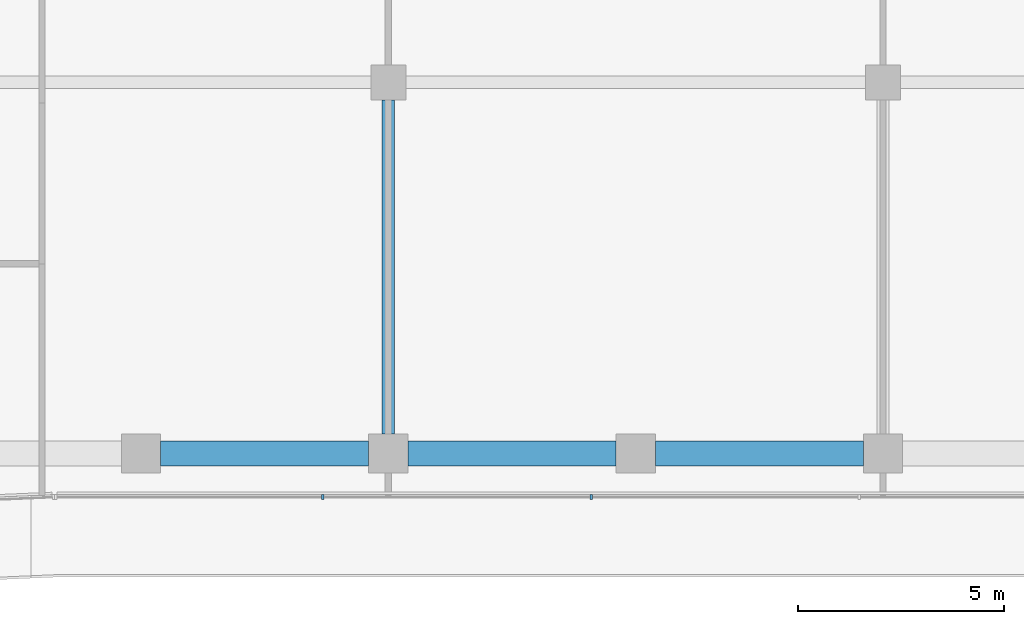
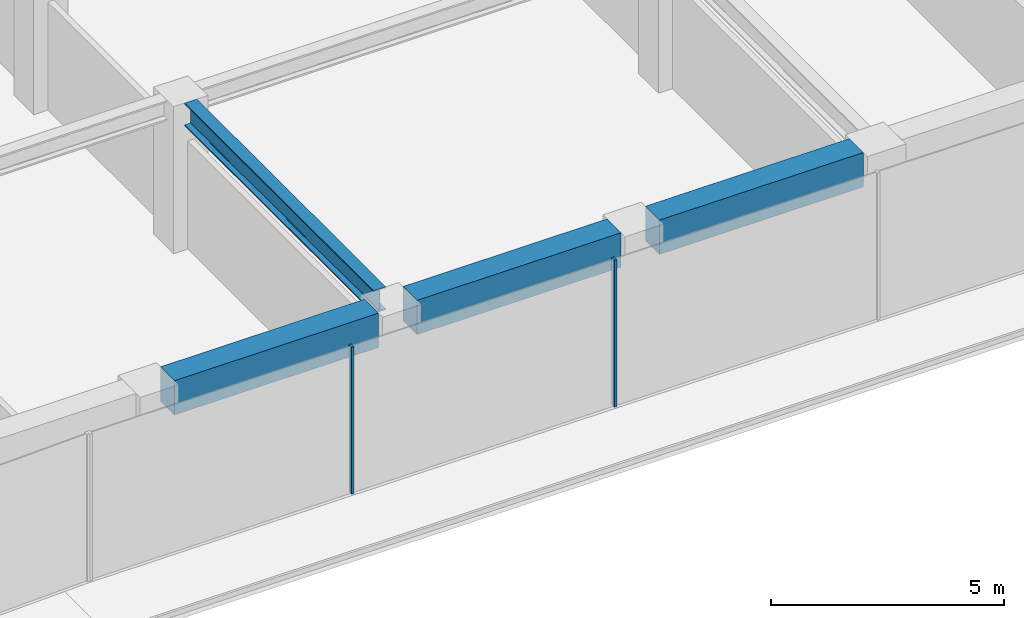
# One storey, part 8 of 29: 4 beams, 2 members, 1 element without a shape of its own.
"""IFC4 building model written with IfcOpenShell, lengths in metres."""

import ifcopenshell
import ifcopenshell.guid

model = None  # the IFC model being written
_history = None  # IfcOwnerHistory: only IFC2X3 demands one
_inside = {}  # id of a spatial element -> (the spatial element, [elements in it])
_under = {}  # id of a project, library or spatial element -> (it, [spatial elements below it])
_declared = {}  # id of a project -> (the project, [libraries it declares])
_typed = {}  # id of a type object -> (the type object, [elements of that type])
_made_of = {}  # id of a material, layer set ... -> (it, [elements and type objects made of it])


def new_model(schema):
    """Start an empty IFC model of exactly this schema.

    Asked for "IFC4X3", IfcOpenShell would pick the latest addendum, in which some entities
    have other attributes; the version numbers below select the first issue.
    IFC2X3 requires an IfcOwnerHistory on every rooted entity: one is made here for all.
    """
    global model, _history
    if schema == "IFC4X3":
        model = ifcopenshell.file(schema_version=(4, 3, 0, 0))
    else:
        model = ifcopenshell.file(schema=schema)
    _inside.clear()
    _under.clear()
    _declared.clear()
    _typed.clear()
    _made_of.clear()
    _history = None
    if model.schema == "IFC2X3":
        org = make("IfcOrganization", Name="unknown")
        user = make(
            "IfcPersonAndOrganization",
            ThePerson=make("IfcPerson", FamilyName="unknown"),
            TheOrganization=org,
        )
        app = make(
            "IfcApplication",
            ApplicationDeveloper=org,
            Version="unknown",
            ApplicationFullName="unknown",
            ApplicationIdentifier="unknown",
        )
        _history = make(
            "IfcOwnerHistory",
            OwningUser=user,
            OwningApplication=app,
            ChangeAction="ADDED",
            CreationDate=0,
        )
    return model


def make(cls, **values):
    """One entity of the class cls with the attributes given. An attribute that is None is left unset."""
    return model.create_entity(
        cls, **{name: value for name, value in values.items() if value is not None}
    )


def rooted(cls, **values):
    """An entity with a GlobalId (a new one), such as an element, a storey or a relation."""
    return make(cls, GlobalId=ifcopenshell.guid.new(), OwnerHistory=_history, **values)


def si_unit(unit_type, name, prefix=None):
    """IfcSIUnit, for example si_unit("LENGTHUNIT", "METRE", prefix="MILLI")."""
    return make("IfcSIUnit", UnitType=unit_type, Prefix=prefix, Name=name)


def assignment(units):
    """IfcUnitAssignment: the units of a project."""
    return None if units is None else make("IfcUnitAssignment", Units=units)


def point(xyz):
    """IfcCartesianPoint."""
    return None if xyz is None else make("IfcCartesianPoint", Coordinates=xyz)


def direction(xyz):
    """IfcDirection."""
    return None if xyz is None else make("IfcDirection", DirectionRatios=xyz)


def frame(location, z_axis=None, x_axis=None):
    """IfcAxis2Placement3D, a coordinate frame: its origin and axes. An axis left out is left unset."""
    return make(
        "IfcAxis2Placement3D",
        Location=point(location),
        Axis=direction(z_axis),
        RefDirection=direction(x_axis),
    )


def frame_2d(location, x_axis=None):
    """IfcAxis2Placement2D, a coordinate frame in the plane: its origin and x axis."""
    return make(
        "IfcAxis2Placement2D", Location=point(location), RefDirection=direction(x_axis)
    )


def origin():
    """The frame at (0, 0, 0) with its axes left unset."""
    return frame((0.0, 0.0, 0.0))


def origin_2d():
    """The frame at (0, 0) in the plane with its x axis left unset."""
    return frame_2d((0.0, 0.0))


def place(relative_to, where):
    """IfcLocalPlacement: puts the frame where relative to a parent placement (None: the world)."""
    return make(
        "IfcLocalPlacement", PlacementRelTo=relative_to, RelativePlacement=where
    )


def context(
    kind, dimensions, precision=None, world=None, true_north=None, identifier=None
):
    """IfcGeometricRepresentationContext, for example the 3D "Model" context."""
    return make(
        "IfcGeometricRepresentationContext",
        ContextIdentifier=identifier,
        ContextType=kind,
        CoordinateSpaceDimension=dimensions,
        Precision=precision,
        WorldCoordinateSystem=world,
        TrueNorth=true_north,
    )


def subcontext(parent, identifier, kind, view, scale=None):
    """IfcGeometricRepresentationSubContext, for example "Body" below "Model"."""
    return make(
        "IfcGeometricRepresentationSubContext",
        ContextIdentifier=identifier,
        ContextType=kind,
        ParentContext=parent,
        TargetScale=scale,
        TargetView=view,
    )


def project(units=None, contexts=None):
    """IfcProject with its units and contexts."""
    return rooted(
        "IfcProject",
        Name="project",
        RepresentationContexts=contexts,
        UnitsInContext=assignment(units),
    )


def spatial(cls, under=None, at=None, **own):
    """A site, building, storey or space (cls), placed at a placement, below another one or the project."""
    s = rooted(cls, ObjectPlacement=at, **own)
    if under is not None:
        _under.setdefault(under.id(), (under, []))[1].append(s)
    return s


def profile(cls, at=None, kind="AREA", **sizes):
    """A parametric profile (cls). Its sizes go by their IFC names, for example OverallWidth=200.0."""
    return make(cls, ProfileType=kind, Position=at, **sizes)


def rectangle(**sizes):
    """IfcRectangleProfileDef."""
    return profile("IfcRectangleProfileDef", **sizes)


def i_section(**sizes):
    """IfcIShapeProfileDef."""
    return profile("IfcIShapeProfileDef", **sizes)


def extrude(swept, where, along, depth):
    """IfcExtrudedAreaSolid: the profile swept, set in the frame where, extruded along a direction by depth."""
    return make(
        "IfcExtrudedAreaSolid",
        SweptArea=swept,
        Position=where,
        ExtrudedDirection=direction(along),
        Depth=depth,
    )


def shape(context_of_items, identifier, shape_type, items):
    """IfcShapeRepresentation: the items that make up one representation, for example the "Body"."""
    return make(
        "IfcShapeRepresentation",
        ContextOfItems=context_of_items,
        RepresentationIdentifier=identifier,
        RepresentationType=shape_type,
        Items=items,
    )


def material(Name=None, Category=None):
    """IfcMaterial."""
    return make("IfcMaterial", Name=Name, Category=Category)


def layer(
    of_material, thickness, ventilated=None, Name=None, Category=None, Priority=None
):
    """IfcMaterialLayer: one layer of a wall or slab, of a material (None: an air gap)."""
    return make(
        "IfcMaterialLayer",
        Material=of_material,
        LayerThickness=thickness,
        IsVentilated=ventilated,
        Name=Name,
        Category=Category,
        Priority=Priority,
    )


def layer_set(layers, Name=None):
    """IfcMaterialLayerSet."""
    return make("IfcMaterialLayerSet", MaterialLayers=layers, LayerSetName=Name)


def material_profile(
    of_material, cross_section, Name=None, Category=None, Priority=None
):
    """IfcMaterialProfile: a cross section and its material."""
    return make(
        "IfcMaterialProfile",
        Name=Name,
        Material=of_material,
        Profile=cross_section,
        Priority=Priority,
        Category=Category,
    )


def profile_set(profiles, Name=None, composite=None):
    """IfcMaterialProfileSet."""
    return make(
        "IfcMaterialProfileSet",
        Name=Name,
        MaterialProfiles=profiles,
        CompositeProfile=composite,
    )


def made_of(thing, what):
    """Note that an element or type object is made of a material, layer set ...; save() writes the relation."""
    if what is not None:
        _made_of.setdefault(what.id(), (what, []))[1].append(thing)
    return thing


def type_object(cls, material=None, **own):
    """A type object (cls), such as IfcWallType, which elements share."""
    return made_of(rooted(cls, **own), material)


def element(
    cls,
    number,
    at=None,
    inside=None,
    cuts=None,
    type_object=None,
    material=None,
    context=None,
    identifier="Body",
    shape_type=None,
    held_by="IfcProductDefinitionShape",
    body=None,
    shapes=None,
    **own,
):
    """One element of the class cls, such as IfcWall. Its Tag is "e" and its number.

    at: its placement. inside: the storey or other place that contains it. cuts: it is an
    opening in that element (IfcRelVoidsElement). A single representation is given by context,
    identifier, shape_type and body (its items); several are given by shapes. held_by: the class
    of the entity that holds the representations. save() writes the other relations.
    """
    e = rooted(cls, Tag="e%d" % number, ObjectPlacement=at, **own)
    if body is not None:
        shapes = [shape(context, identifier, shape_type, body)]
    if shapes is not None:
        e.Representation = make(held_by, Representations=shapes)
    if inside is not None:
        _inside.setdefault(inside.id(), (inside, []))[1].append(e)
    if cuts is not None:
        rooted(
            "IfcRelVoidsElement", RelatingBuildingElement=cuts, RelatedOpeningElement=e
        )
    if type_object is not None:
        _typed.setdefault(type_object.id(), (type_object, []))[1].append(e)
    return made_of(e, material)


def aggregate(whole, parts):
    """IfcRelAggregates: a whole, such as a stair, and the parts it consists of."""
    return rooted("IfcRelAggregates", RelatingObject=whole, RelatedObjects=parts)


def save(model, path):
    """Write the relations noted so far, then the file.

    IfcRelAggregates (storeys below a building ...), IfcRelContainedInSpatialStructure (elements
    in a storey), IfcRelDefinesByType, IfcRelAssociatesMaterial and IfcRelDeclares: one each for
    every whole, place, type object, material and project.
    """
    for whole, parts in _under.values():
        aggregate(whole, parts)
    for where, things in _inside.values():
        rooted(
            "IfcRelContainedInSpatialStructure",
            RelatedElements=things,
            RelatingStructure=where,
        )
    for kind, things in _typed.values():
        rooted("IfcRelDefinesByType", RelatedObjects=things, RelatingType=kind)
    for what, things in _made_of.values():
        rooted("IfcRelAssociatesMaterial", RelatedObjects=things, RelatingMaterial=what)
    for by, libraries in _declared.values():
        rooted("IfcRelDeclares", RelatingContext=by, RelatedDefinitions=libraries)
    model.write(path)


model = new_model("IFC4")

# Units and contexts
model_context = context("Model", 3, precision=1e-05, world=origin(), true_north=direction((0.0, 1.0)))
body_context = subcontext(model_context, "Body", "Model", "MODEL_VIEW")
ifc_project = project(units=[si_unit("LENGTHUNIT", "METRE"), si_unit("AREAUNIT", "SQUARE_METRE"), si_unit("VOLUMEUNIT", "CUBIC_METRE"), si_unit("PLANEANGLEUNIT", "RADIAN"), si_unit("MASSUNIT", "GRAM", prefix="KILO")], contexts=[model_context])

# Site, building, storey
site_placement = place(None, origin())
site = spatial("IfcSite", under=ifc_project, at=site_placement, CompositionType="ELEMENT")
building_placement = place(site_placement, origin())
building = spatial("IfcBuilding", under=site, at=building_placement, Name="Welwitschia Terrace Campus", CompositionType="ELEMENT")
storey_placement = place(building_placement, frame((0.0, 0.0, 62.60009765625)))
storey = spatial("IfcBuildingStorey", under=building, at=storey_placement, Name="L14", CompositionType="ELEMENT", Elevation=62.60009765625)

# Curtain wall, members
ifc_material_1 = material(Name="Bronze anodised aluminium", Category="aluminium")
ifc_layer = layer(ifc_material_1, 0.1201171875)
ifc_layer_set = layer_set([ifc_layer], Name="Bronze anodised aluminium")
curtain_wall_type = type_object("IfcCurtainWallType", Name="Curtain wall CW2 tower 6000", PredefinedType="NOTDEFINED", material=ifc_layer_set)
curtain_wall_placement = place(storey_placement, origin())
curtain_wall = element("IfcCurtainWall", 1, at=curtain_wall_placement, inside=storey, type_object=curtain_wall_type, Name="CW L14.3.0", PredefinedType="NOTDEFINED")
ifc_material_2 = material(Name="Bronze anodised aluminium", Category="aluminium")
ifc_material_profile_1 = material_profile(ifc_material_2, rectangle(XDim=0.1201171875, YDim=0.06005859375, at=origin_2d()))
ifc_profile_set_1 = profile_set([ifc_material_profile_1], Name="Bronze anodised aluminium")
member_type = type_object("IfcMemberType", Name="Mullion 60x120", PredefinedType="MULLION", material=ifc_profile_set_1)
member_1_placement = place(storey_placement, frame((34.41455078125, -5.05810546875, 0.0), z_axis=(0.0, 0.0, 1.0), x_axis=(0.0, 1.0, 0.0)))
member_1 = element("IfcMember", 2, at=member_1_placement, type_object=member_type, Name="Mullion L14.3.0.1", PredefinedType="MULLION", context=body_context, shape_type="SweptSolid", body=[
    extrude(rectangle(XDim=0.1201171875, YDim=0.06005859375, at=origin_2d()), origin(), (0.0, 0.0, 1.0), 3.849853515625),
])
member_2_placement = place(storey_placement, frame((40.920654296875, -5.05810546875, 0.0), z_axis=(0.0, 0.0, 1.0), x_axis=(0.0, 1.0, 0.0)))
member_2 = element("IfcMember", 3, at=member_2_placement, type_object=member_type, Name="Mullion L14.3.0.2", PredefinedType="MULLION", context=body_context, shape_type="SweptSolid", body=[
    extrude(rectangle(XDim=0.1201171875, YDim=0.06005859375, at=origin_2d()), origin(), (0.0, 0.0, 1.0), 3.849853515625),
])
aggregate(curtain_wall, [member_1, member_2])

# Beams
ifc_material_3 = material(Name="Steel S355", Category="steel")
ifc_material_profile_2 = material_profile(ifc_material_3, i_section(OverallWidth=0.300048828125, OverallDepth=0.60009765625, WebThickness=0.015380859375, FlangeThickness=0.030029296875, FilletRadius=0.027099609375, at=origin_2d()))
ifc_profile_set_2 = profile_set([ifc_material_profile_2], Name="Steel S355")
beam_type_1 = type_object("IfcBeamType", Name="Primary beam HE 600 B", PredefinedType="BEAM", material=ifc_profile_set_2)
beam_placement = place(storey_placement, frame((36.0, -3.5244140625, 3.5498046875), z_axis=(0.0, 1.0, 0.0), x_axis=(-1.0, 0.0, 0.0)))
element("IfcBeam", 4, at=beam_placement, inside=storey, type_object=beam_type_1, Name="Primary beam PB2", PredefinedType="BEAM", context=body_context, shape_type="SweptSolid", body=[
    extrude(i_section(OverallWidth=0.300048828125, OverallDepth=0.60009765625, WebThickness=0.015380859375, FlangeThickness=0.030029296875, FilletRadius=0.027099609375, at=origin_2d()), origin(), (0.0, 0.0, 1.0), 8.098876953125),
])
ifc_material_4 = material(Name="Concrete C60/75", Category="concrete")
ifc_material_profile_3 = material_profile(ifc_material_4, rectangle(XDim=0.60009765625, YDim=0.89990234375, at=origin_2d()))
ifc_profile_set_3 = profile_set([ifc_material_profile_3], Name="Concrete C60/75")
beam_type_2 = type_object("IfcBeamType", Name="Ring spandrel 600x900", PredefinedType="SPANDREL", material=ifc_profile_set_3)
for number, where, z_axis, x_axis, name in (
    (5, (30.4755859375, -4.0, 3.39990234375), (1.0, 0.0, 0.0), (0.0, 1.0, 0.0), "Spandrel SP2"),
    (6, (36.4755859375, -4.0, 3.39990234375), (1.0, 0.0, 0.0), (0.0, 1.0, 0.0), "Spandrel SP2"),
    (7, (42.4755859375, -4.0, 3.39990234375), (1.0, 0.0, 0.0), (0.0, 1.0, 0.0), "Spandrel SP2"),
):
    element("IfcBeam", number, at=place(storey_placement, frame(where, z_axis=z_axis, x_axis=x_axis)), inside=storey, type_object=beam_type_2, Name=name, PredefinedType="SPANDREL", context=body_context, shape_type="SweptSolid", body=[
        extrude(rectangle(XDim=0.60009765625, YDim=0.89990234375, at=origin_2d()), origin(), (0.0, 0.0, 1.0), 5.048828125),
    ])

save(model, "model.ifc")
